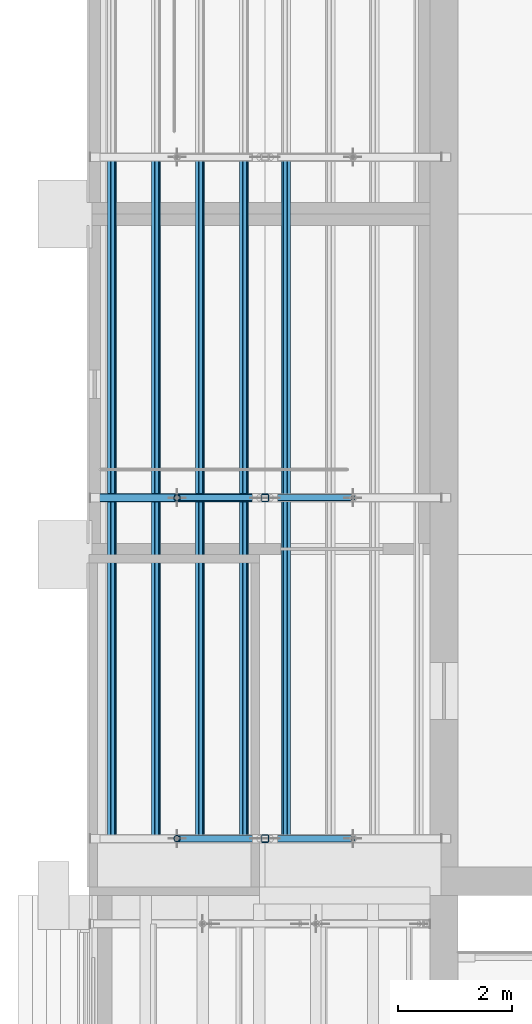
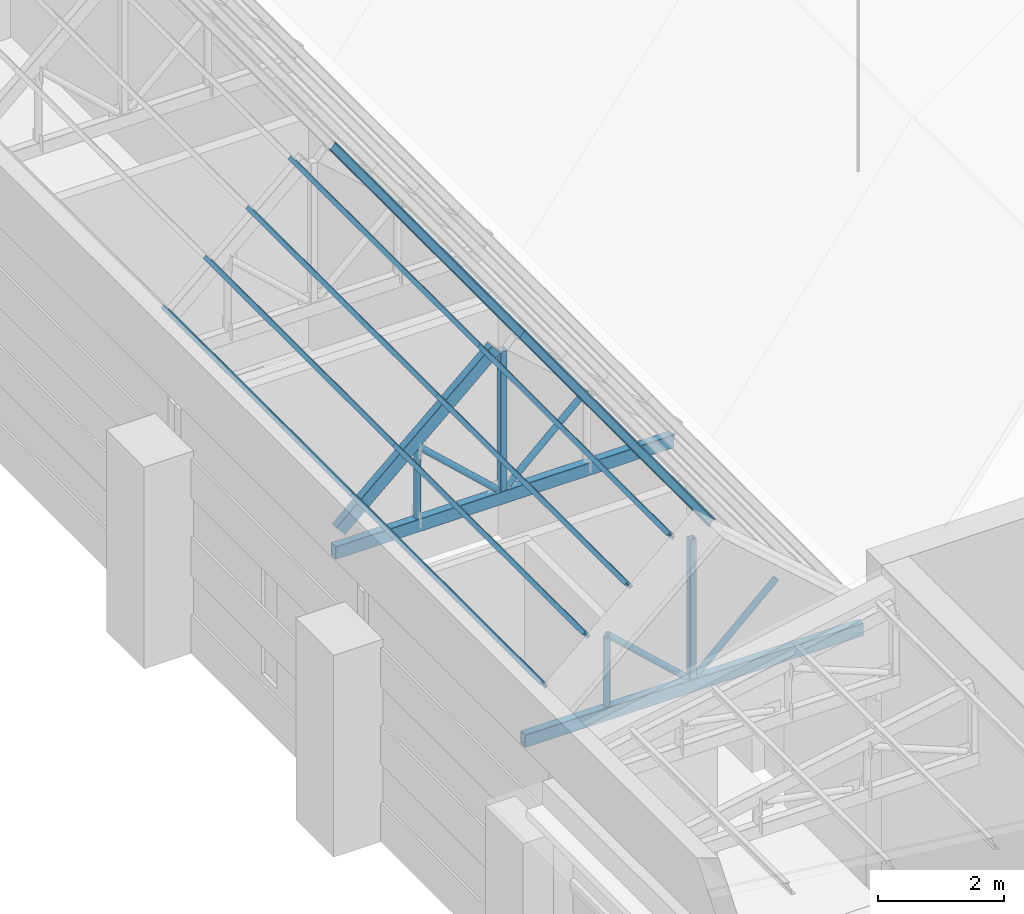
# One storey, part 28 of 118: 21 members.
"""IFC4 building model written with IfcOpenShell, lengths in metres."""

from ifc_helpers import new_model, si_unit, direction, frame, origin, origin_2d, place, context, subcontext, project, spatial, hollow_rectangle, hollow_circle, i_section, extrude, material, material_profile, profile_set, type_object, element, save


model = new_model("IFC4")

# Units and contexts
model_context = context("Model", 3, precision=1e-05, world=origin(), true_north=direction((0.0, 1.0)))
body_context = subcontext(model_context, "Body", "Model", "MODEL_VIEW")
ifc_project = project(units=[si_unit("LENGTHUNIT", "METRE"), si_unit("AREAUNIT", "SQUARE_METRE"), si_unit("VOLUMEUNIT", "CUBIC_METRE"), si_unit("PLANEANGLEUNIT", "RADIAN"), si_unit("MASSUNIT", "GRAM", prefix="KILO")], contexts=[model_context])

# Site, building, storey
site_placement = place(None, origin())
site = spatial("IfcSite", under=ifc_project, at=site_placement, CompositionType="ELEMENT")
building_placement = place(site_placement, origin())
building = spatial("IfcBuilding", under=site, at=building_placement, Name="Saffron Lane Theatres", CompositionType="ELEMENT")
storey_placement = place(building_placement, frame((0.0, 0.0, 16.5)))
storey = spatial("IfcBuildingStorey", under=building, at=storey_placement, Name="L03", CompositionType="ELEMENT", Elevation=16.5)

# Members
ifc_material_1 = material(Name="Steel Grade 350", Category="steel")
ifc_material_profile_1 = material_profile(ifc_material_1, hollow_rectangle(XDim=0.125, YDim=0.125, WallThickness=0.006103515625, InnerFilletRadius=0.0029296875, OuterFilletRadius=0.009033203125, at=origin_2d()))
ifc_profile_set_1 = profile_set([ifc_material_profile_1], Name="Steel Grade 350")
member_type_1 = type_object("IfcMemberType", Name="ST-STUDIO POST 125x125x6 SHS", PredefinedType="POST", material=ifc_profile_set_1)
for number, where, z_axis, x_axis, name in (
    (1, (15.10009765625, 55.0, 4.75), (0.0, 0.0, 1.0), (1.0, 0.0, 0.0), "SB1-P4"),
    (2, (15.10009765625, 61.0, 4.75), (0.0, 0.0, 1.0), (1.0, 0.0, 0.0), "SB1-P12"),
):
    element("IfcMember", number, at=place(storey_placement, frame(where, z_axis=z_axis, x_axis=x_axis)), inside=storey, type_object=member_type_1, Name=name, PredefinedType="POST", context=body_context, shape_type="SweptSolid", body=[
        extrude(hollow_rectangle(XDim=0.125, YDim=0.125, WallThickness=0.006103515625, InnerFilletRadius=0.0029296875, OuterFilletRadius=0.009033203125, at=origin_2d()), origin(), (0.0, 0.0, 1.0), 2.69287109375),
    ])
ifc_material_2 = material(Name="Steel Grade 350", Category="steel")
ifc_material_profile_2 = material_profile(ifc_material_2, i_section(OverallWidth=0.074951171875, OverallDepth=0.155029296875, WebThickness=0.006103515625, FlangeThickness=0.009521484375, FilletRadius=0.008056640625, at=origin_2d()))
ifc_profile_set_2 = profile_set([ifc_material_profile_2], Name="Steel Grade 350")
member_type_2 = type_object("IfcMemberType", Name="ST-STUDIO PURLIN 150UB18.0", PredefinedType="PURLIN", material=ifc_profile_set_2)
for number, where, z_axis, x_axis, name in (
    (3, (12.40283203125, 55.0, 5.544677734375), (0.0, 1.0, 0.0), (-0.748268687469, 0.0, -0.663395787863), "SB1-U57"),
    (4, (12.40283203125, 61.0, 5.544677734375), (0.0, 1.0, 0.0), (-0.748268687469, 0.0, -0.663395787863), "SB1-U58"),
    (5, (13.177734375, 55.0, 6.23193359375), (0.0, 1.0, 0.0), (-0.748268687469, 0.0, -0.663395787863), "SB1-U63"),
    (6, (13.177734375, 61.0, 6.23193359375), (0.0, 1.0, 0.0), (-0.748268687469, 0.0, -0.663395787863), "SB1-U64"),
    (7, (13.95263671875, 55.0, 6.9189453125), (0.0, 1.0, 0.0), (-0.748268687469, 0.0, -0.663395787863), "SB1-U69"),
    (8, (13.95263671875, 61.0, 6.9189453125), (0.0, 1.0, 0.0), (-0.748268687469, 0.0, -0.663395787863), "SB1-U70"),
    (9, (14.727783203125, 55.0, 7.60595703125), (0.0, 1.0, 0.0), (-0.748268687469, 0.0, -0.663395787863), "SB1-U75"),
    (10, (14.727783203125, 61.0, 7.60595703125), (0.0, 1.0, 0.0), (-0.748268687469, 0.0, -0.663395787863), "SB1-U76"),
    (11, (15.47216796875, 55.0, 7.60595703125), (0.0, 1.0, 0.0), (-0.748268687469, 0.0, 0.663395787863), "SB1-U99"),
    (12, (15.47216796875, 61.0, 7.60595703125), (0.0, 1.0, 0.0), (-0.748268687469, 0.0, 0.663395787863), "SB1-U100"),
):
    element("IfcMember", number, at=place(storey_placement, frame(where, z_axis=z_axis, x_axis=x_axis)), inside=storey, type_object=member_type_2, Name=name, PredefinedType="PURLIN", context=body_context, shape_type="SweptSolid", body=[
        extrude(i_section(OverallWidth=0.074951171875, OverallDepth=0.155029296875, WebThickness=0.006103515625, FlangeThickness=0.009521484375, FilletRadius=0.008056640625, at=origin_2d()), origin(), (0.0, 0.0, 1.0), 6.0),
    ])
ifc_material_3 = material(Name="Steel Grade 350", Category="steel")
ifc_material_profile_3 = material_profile(ifc_material_3, hollow_rectangle(XDim=0.14990234375, YDim=0.25, WallThickness=0.009033203125, InnerFilletRadius=0.00439453125, OuterFilletRadius=0.013427734375, at=origin_2d()))
ifc_profile_set_3 = profile_set([ifc_material_profile_3], Name="Steel Grade 350")
member_type_3 = type_object("IfcMemberType", Name="ST-STUDIO TRUSS CHORD 250x150x9 RHS", PredefinedType="CHORD", material=ifc_profile_set_3)
for number, where, z_axis, x_axis, name in (
    (13, (12.02001953125, 55.0, 4.625), (1.0, 0.0, 0.0), (0.0, 1.0, 0.0), "SB1-T1"),
    (14, (12.02001953125, 61.0, 4.625), (1.0, 0.0, 0.0), (0.0, 1.0, 0.0), "SB1-T9"),
):
    element("IfcMember", number, at=place(storey_placement, frame(where, z_axis=z_axis, x_axis=x_axis)), inside=storey, type_object=member_type_3, Name=name, PredefinedType="CHORD", context=body_context, shape_type="SweptSolid", body=[
        extrude(hollow_rectangle(XDim=0.14990234375, YDim=0.25, WallThickness=0.009033203125, InnerFilletRadius=0.00439453125, OuterFilletRadius=0.013427734375, at=origin_2d()), origin(), (0.0, 0.0, 1.0), 6.179931640625),
    ])
member_1_placement = place(storey_placement, frame((12.113037109375, 61.0, 5.01708984375), z_axis=(0.748231613734, 0.0, 0.663437602348), x_axis=(0.0, 1.0, 0.0)))
element("IfcMember", 15, at=member_1_placement, inside=storey, type_object=member_type_3, Name="SB1-C10", PredefinedType="CHORD", context=body_context, shape_type="SweptSolid", body=[
    extrude(hollow_rectangle(XDim=0.14990234375, YDim=0.25, WallThickness=0.009033203125, InnerFilletRadius=0.00439453125, OuterFilletRadius=0.013427734375, at=origin_2d()), origin(), (0.0, 0.0, 1.0), 3.797607421875),
])
ifc_material_4 = material(Name="Steel Grade 350", Category="steel")
ifc_material_profile_4 = material_profile(ifc_material_4, hollow_circle(Radius=0.05712890625, WallThickness=0.006103515625, at=origin_2d()))
ifc_profile_set_4 = profile_set([ifc_material_profile_4], Name="Steel Grade 350")
member_type_4 = type_object("IfcMemberType", Name="ST-STUDIO TRUSS WEB 114.3x6.0 CHS", PredefinedType="BRACE", material=ifc_profile_set_4)
member_2_placement = place(storey_placement, frame((13.550048828125, 55.0, 4.75), z_axis=(0.0, 0.0, 1.0), x_axis=(1.0, 0.0, 0.0)))
element("IfcMember", 16, at=member_2_placement, inside=storey, type_object=member_type_4, Name="SB1-W5", PredefinedType="BRACE", context=body_context, shape_type="SweptSolid", body=[
    extrude(hollow_circle(Radius=0.05712890625, WallThickness=0.006103515625, at=origin_2d()), origin(), (0.0, 0.0, 1.0), 1.323486328125),
])
for number, where, z_axis, x_axis, name in (
    (17, (14.991943359375, 55.0, 4.7919921875), (-0.734492556675, 0.0, 0.678616743228), (0.0, -1.0, 0.0), "SB1-W7"),
    (18, (15.2080078125, 55.0, 4.7919921875), (0.734492556675, 0.0, 0.678616743228), (0.0, 1.0, 0.0), "SB1-W8"),
):
    element("IfcMember", number, at=place(storey_placement, frame(where, z_axis=z_axis, x_axis=x_axis)), inside=storey, type_object=member_type_4, Name=name, PredefinedType="BRACE", context=body_context, shape_type="SweptSolid", body=[
        extrude(hollow_circle(Radius=0.05712890625, WallThickness=0.006103515625, at=origin_2d()), origin(), (0.0, 0.0, 1.0), 1.95751953125),
    ])
member_3_placement = place(storey_placement, frame((13.550048828125, 61.0, 4.75), z_axis=(0.0, 0.0, 1.0), x_axis=(1.0, 0.0, 0.0)))
element("IfcMember", 19, at=member_3_placement, inside=storey, type_object=member_type_4, Name="SB1-W13", PredefinedType="BRACE", context=body_context, shape_type="SweptSolid", body=[
    extrude(hollow_circle(Radius=0.05712890625, WallThickness=0.006103515625, at=origin_2d()), origin(), (0.0, 0.0, 1.0), 1.323486328125),
])
for number, where, z_axis, x_axis, name in (
    (20, (14.991943359375, 61.0, 4.7919921875), (-0.734492556675, 0.0, 0.678616743228), (0.0, -1.0, 0.0), "SB1-W15"),
    (21, (15.2080078125, 61.0, 4.7919921875), (0.734492556675, 0.0, 0.678616743228), (0.0, 1.0, 0.0), "SB1-W16"),
):
    element("IfcMember", number, at=place(storey_placement, frame(where, z_axis=z_axis, x_axis=x_axis)), inside=storey, type_object=member_type_4, Name=name, PredefinedType="BRACE", context=body_context, shape_type="SweptSolid", body=[
        extrude(hollow_circle(Radius=0.05712890625, WallThickness=0.006103515625, at=origin_2d()), origin(), (0.0, 0.0, 1.0), 1.95751953125),
    ])

save(model, "model.ifc")
